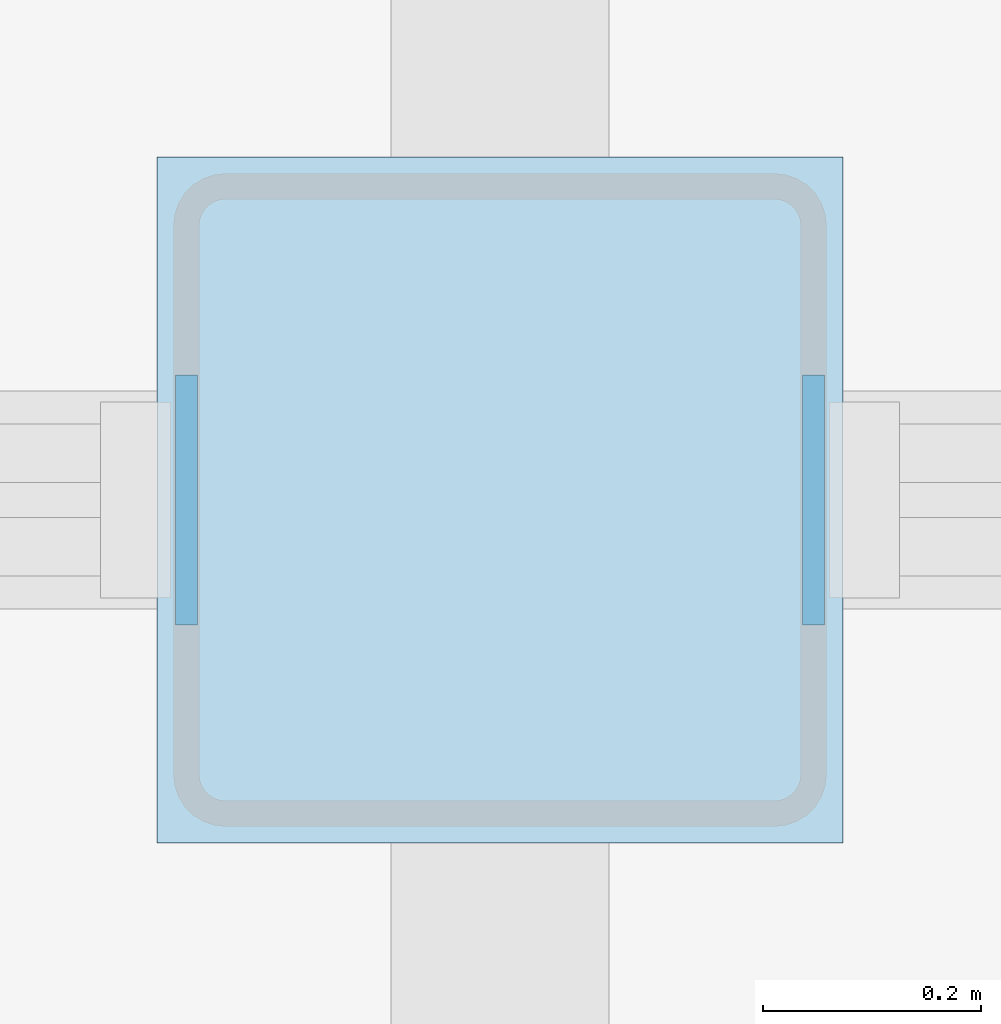
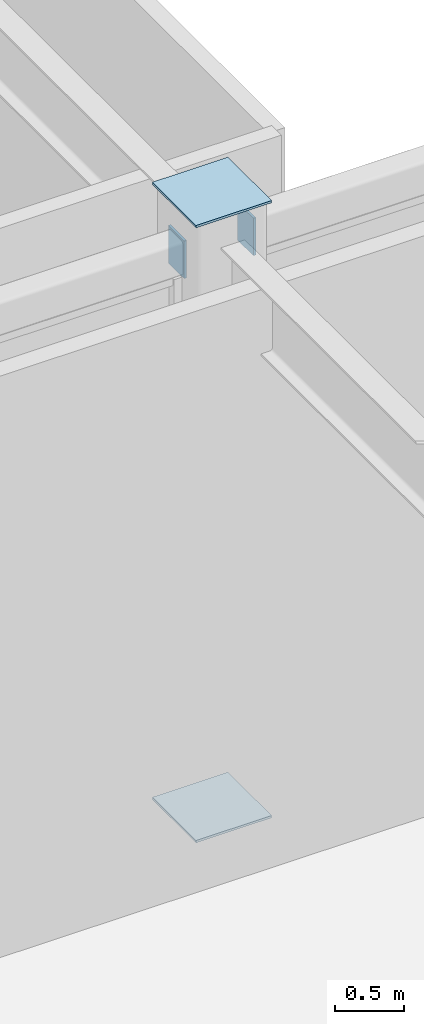
# One storey, part 106 of 184: 4 plates.
"""IFC4 building model written with IfcOpenShell, lengths in metres."""

from ifc_helpers import new_model, si_unit, direction, frame, origin, origin_2d, place, context, subcontext, project, spatial, rectangle, extrude, material, layer, layer_set, type_object, element, save


model = new_model("IFC4")

# Units and contexts
model_context = context("Model", 3, precision=1e-05, world=origin(), true_north=direction((0.0, 1.0)))
body_context = subcontext(model_context, "Body", "Model", "MODEL_VIEW")
ifc_project = project(units=[si_unit("LENGTHUNIT", "METRE"), si_unit("AREAUNIT", "SQUARE_METRE"), si_unit("VOLUMEUNIT", "CUBIC_METRE"), si_unit("PLANEANGLEUNIT", "RADIAN"), si_unit("MASSUNIT", "GRAM", prefix="KILO")], contexts=[model_context])

# Site, building, storey
site_placement = place(None, origin())
site = spatial("IfcSite", under=ifc_project, at=site_placement, CompositionType="ELEMENT")
building_placement = place(site_placement, origin())
building = spatial("IfcBuilding", under=site, at=building_placement, Name="Zhaolan Boulevard Law Courts", CompositionType="ELEMENT")
storey_placement = place(building_placement, frame((0.0, 0.0, 5.39990234375)))
storey = spatial("IfcBuildingStorey", under=building, at=storey_placement, Name="L01", CompositionType="ELEMENT", Elevation=5.39990234375)

# Plates
ifc_material = material(Name="Structural steel Q355B", Category="steel")
ifc_layer = layer(ifc_material, 0.02001953125)
ifc_layer_set = layer_set([ifc_layer])
plate_type = type_object("IfcPlateType", Name="END CAP PLATE 20", PredefinedType="SHEET", material=ifc_layer_set)
for number, where, z_axis, x_axis, name in (
    (1, (26.39990234375, 30.0, -0.017822265625), (0.0, 0.0, 1.0), (1.0, 0.0, 0.0), "Hollow Section End-Cap Plate ECP-0319"),
    (2, (26.39990234375, 30.0, 5.398193359375), (0.0, 0.0, 1.0), (1.0, 0.0, 0.0), "Hollow Section End-Cap Plate ECP-0320"),
):
    element("IfcPlate", number, at=place(storey_placement, frame(where, z_axis=z_axis, x_axis=x_axis)), inside=storey, type_object=plate_type, Name=name, PredefinedType="SHEET", context=body_context, shape_type="SweptSolid", body=[
        extrude(rectangle(XDim=0.6298828125, YDim=0.6298828125, at=origin_2d()), origin(), (0.0, 0.0, 1.0), 0.02001953125),
    ])
for number, where, z_axis, x_axis, name in (
    (3, (26.112060546875, 30.0, 4.822998046875), (0.0, 0.0, 1.0), (1.0, 0.0, 0.0), "Hollow Section End-Cap Plate ECP-0728"),
    (4, (26.68798828125, 30.0, 4.822998046875), (0.0, 0.0, 1.0), (1.0, 0.0, 0.0), "Hollow Section End-Cap Plate ECP-0729"),
):
    element("IfcPlate", number, at=place(storey_placement, frame(where, z_axis=z_axis, x_axis=x_axis)), inside=storey, type_object=plate_type, Name=name, PredefinedType="SHEET", context=body_context, shape_type="SweptSolid", body=[
        extrude(rectangle(XDim=0.02001953125, YDim=0.22998046875, at=origin_2d()), origin(), (0.0, 0.0, 1.0), 0.330078125),
    ])

save(model, "model.ifc")
